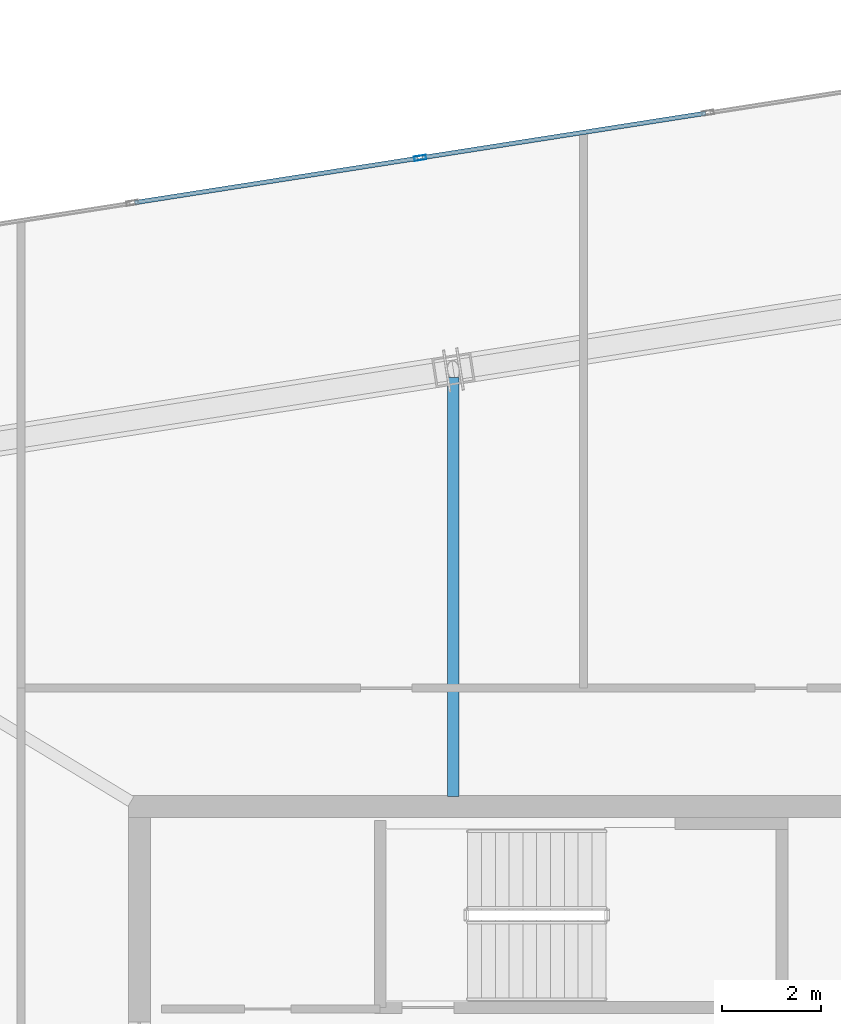
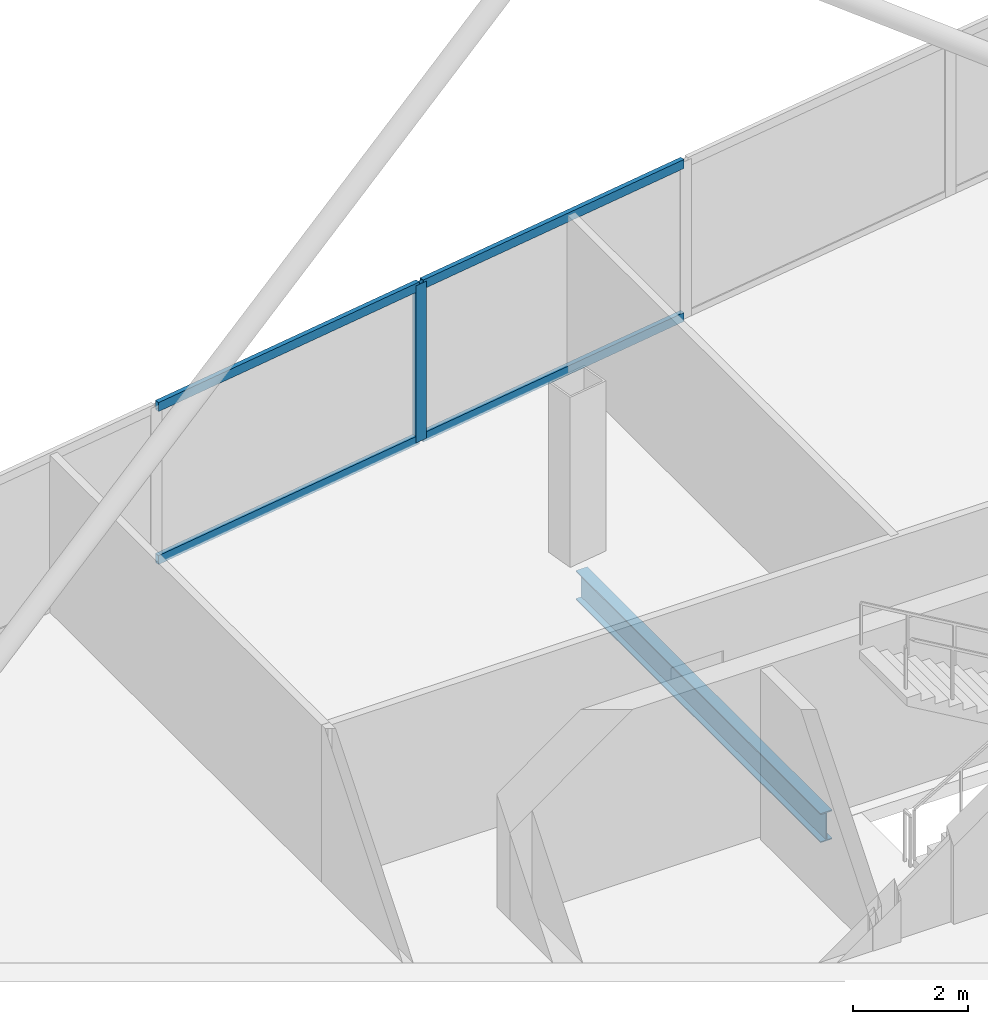
# One storey, part 14 of 21: 5 members, 1 beam, 1 element without a shape of its own.
"""IFC4 building model written with IfcOpenShell, lengths in metres."""

from ifc_helpers import new_model, si_unit, direction, frame, origin, origin_2d, place, context, subcontext, project, spatial, hollow_rectangle, i_section, extrude, material, material_profile, profile_set, type_object, element, aggregate, save


model = new_model("IFC4")

# Units and contexts
model_context = context("Model", 3, precision=1e-05, world=origin(), true_north=direction((0.0, 1.0)))
body_context = subcontext(model_context, "Body", "Model", "MODEL_VIEW")
ifc_project = project(units=[si_unit("LENGTHUNIT", "METRE"), si_unit("AREAUNIT", "SQUARE_METRE"), si_unit("VOLUMEUNIT", "CUBIC_METRE"), si_unit("PLANEANGLEUNIT", "RADIAN"), si_unit("MASSUNIT", "GRAM", prefix="KILO")], contexts=[model_context])

# Site, building, storey
site_placement = place(None, origin())
site = spatial("IfcSite", under=ifc_project, at=site_placement, CompositionType="ELEMENT")
building_placement = place(site_placement, origin())
building = spatial("IfcBuilding", under=site, at=building_placement, Name="Haldenkirk Collegiate Tower", CompositionType="ELEMENT")
storey_placement = place(building_placement, frame((0.0, 0.0, 360.60009765625)))
storey = spatial("IfcBuildingStorey", under=building, at=storey_placement, Name="L91", CompositionType="ELEMENT", Elevation=360.60009765625)

# Beam
ifc_material_1 = material(Name="Steel ASTM A992 Grade 50", Category="steel")
ifc_material_profile_1 = material_profile(ifc_material_1, i_section(OverallWidth=0.22998046875, OverallDepth=0.616943359375, WebThickness=0.01318359375, FlangeThickness=0.022216796875, at=origin_2d()), Name="W24X94")
ifc_profile_set_1 = profile_set([ifc_material_profile_1], Name="Steel ASTM A992 Grade 50")
beam_type = type_object("IfcBeamType", Name="BM-GIRDER-W24X94", PredefinedType="BEAM", material=ifc_profile_set_1)
beam_placement = place(storey_placement, frame((33.3623046875, 42.694580078125, -0.57861328125), z_axis=(0.0, -1.0, 0.0), x_axis=(1.0, 0.0, 0.0)))
element("IfcBeam", 1, at=beam_placement, inside=storey, type_object=beam_type, Name="L91 crown radial floor beam 4", PredefinedType="BEAM", context=body_context, shape_type="SweptSolid", body=[
    extrude(i_section(OverallWidth=0.22998046875, OverallDepth=0.616943359375, WebThickness=0.01318359375, FlangeThickness=0.022216796875, at=origin_2d()), origin(), (0.0, 0.0, 1.0), 8.49462890625),
])

# Curtain wall, members
ifc_material_2 = material(Name="Anodised architectural bronze aluminium", Category="aluminium")
curtain_wall_type = type_object("IfcCurtainWallType", Name="CW-SYS6-CROWN", PredefinedType="USERDEFINED", material=ifc_material_2)
curtain_wall_placement = place(storey_placement, origin())
curtain_wall = element("IfcCurtainWall", 2, at=curtain_wall_placement, inside=storey, type_object=curtain_wall_type, Name="L91 Closed crown ring ceramic-fritted bronze screen curtain wall", ObjectType="UNITISED CURTAIN WALL", PredefinedType="USERDEFINED")
ifc_material_profile_2 = material_profile(ifc_material_2, hollow_rectangle(XDim=0.090087890625, YDim=0.239990234375, WallThickness=0.0048828125, at=origin_2d()), Name="CW-MUL-06")
ifc_profile_set_2 = profile_set([ifc_material_profile_2], Name="Anodised architectural bronze aluminium")
member_type_1 = type_object("IfcMemberType", Name="CW-MUL-06", PredefinedType="MULLION", material=ifc_profile_set_2)
member_1_placement = place(storey_placement, frame((32.689208984375, 47.142333984375, 0.0), z_axis=(0.0, 0.0, 1.0), x_axis=(-0.154708982189, 0.987960085646, 0.0)))
member_1 = element("IfcMember", 3, at=member_1_placement, type_object=member_type_1, Name="CW-06 mullion 4", PredefinedType="MULLION", context=body_context, shape_type="SweptSolid", body=[
    extrude(hollow_rectangle(XDim=0.090087890625, YDim=0.239990234375, WallThickness=0.0048828125, at=origin_2d()), origin(), (0.0, 0.0, 1.0), 3.329833984375),
])
ifc_material_profile_3 = material_profile(ifc_material_2, hollow_rectangle(XDim=0.090087890625, YDim=0.18994140625, WallThickness=0.0048828125, at=origin_2d()), Name="CW-TRN-06")
ifc_profile_set_3 = profile_set([ifc_material_profile_3], Name="Anodised architectural bronze aluminium")
member_type_2 = type_object("IfcMemberType", Name="CW-TRN-06", PredefinedType="USERDEFINED", material=ifc_profile_set_3)
member_2_placement = place(storey_placement, frame((26.90478515625, 46.236572265625, 0.044921875), z_axis=(0.987958095237, 0.154721692257, 0.0), x_axis=(-0.154721692257, 0.987958095237, 0.0)))
member_2 = element("IfcMember", 4, at=member_2_placement, type_object=member_type_2, Name="CW-06 transom 3.1", ObjectType="TRANSOM", PredefinedType="USERDEFINED", context=body_context, shape_type="SweptSolid", body=[
    extrude(hollow_rectangle(XDim=0.090087890625, YDim=0.18994140625, WallThickness=0.0048828125, at=origin_2d()), origin(), (0.0, 0.0, 1.0), 5.81005859375),
])
member_3_placement = place(storey_placement, frame((26.90478515625, 46.236572265625, 3.284912109375), z_axis=(0.987958095237, 0.154721692257, 0.0), x_axis=(-0.154721692257, 0.987958095237, 0.0)))
member_3 = element("IfcMember", 5, at=member_3_placement, type_object=member_type_2, Name="CW-06 transom 3.2", ObjectType="TRANSOM", PredefinedType="USERDEFINED", context=body_context, shape_type="SweptSolid", body=[
    extrude(hollow_rectangle(XDim=0.090087890625, YDim=0.18994140625, WallThickness=0.0048828125, at=origin_2d()), origin(), (0.0, 0.0, 1.0), 5.81005859375),
])
member_4_placement = place(storey_placement, frame((32.733642578125, 47.1494140625, 0.044921875), z_axis=(0.987964517712, 0.154680676692, 0.0), x_axis=(-0.154680676692, 0.987964517712, 0.0)))
member_4 = element("IfcMember", 6, at=member_4_placement, type_object=member_type_2, Name="CW-06 transom 4.1", ObjectType="TRANSOM", PredefinedType="USERDEFINED", context=body_context, shape_type="SweptSolid", body=[
    extrude(hollow_rectangle(XDim=0.090087890625, YDim=0.18994140625, WallThickness=0.0048828125, at=origin_2d()), origin(), (0.0, 0.0, 1.0), 5.809814453125),
])
member_5_placement = place(storey_placement, frame((32.733642578125, 47.1494140625, 3.284912109375), z_axis=(0.987964517712, 0.154680676692, 0.0), x_axis=(-0.154680676692, 0.987964517712, 0.0)))
member_5 = element("IfcMember", 7, at=member_5_placement, type_object=member_type_2, Name="CW-06 transom 4.2", ObjectType="TRANSOM", PredefinedType="USERDEFINED", context=body_context, shape_type="SweptSolid", body=[
    extrude(hollow_rectangle(XDim=0.090087890625, YDim=0.18994140625, WallThickness=0.0048828125, at=origin_2d()), origin(), (0.0, 0.0, 1.0), 5.809814453125),
])
aggregate(curtain_wall, [member_1, member_2, member_3, member_4, member_5])

save(model, "model.ifc")
